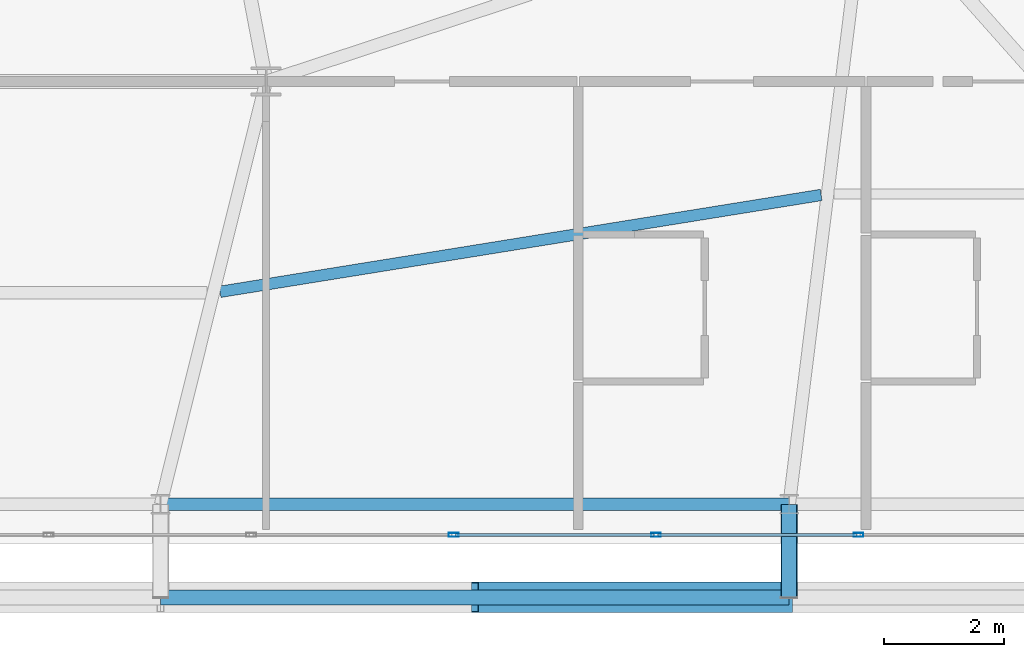
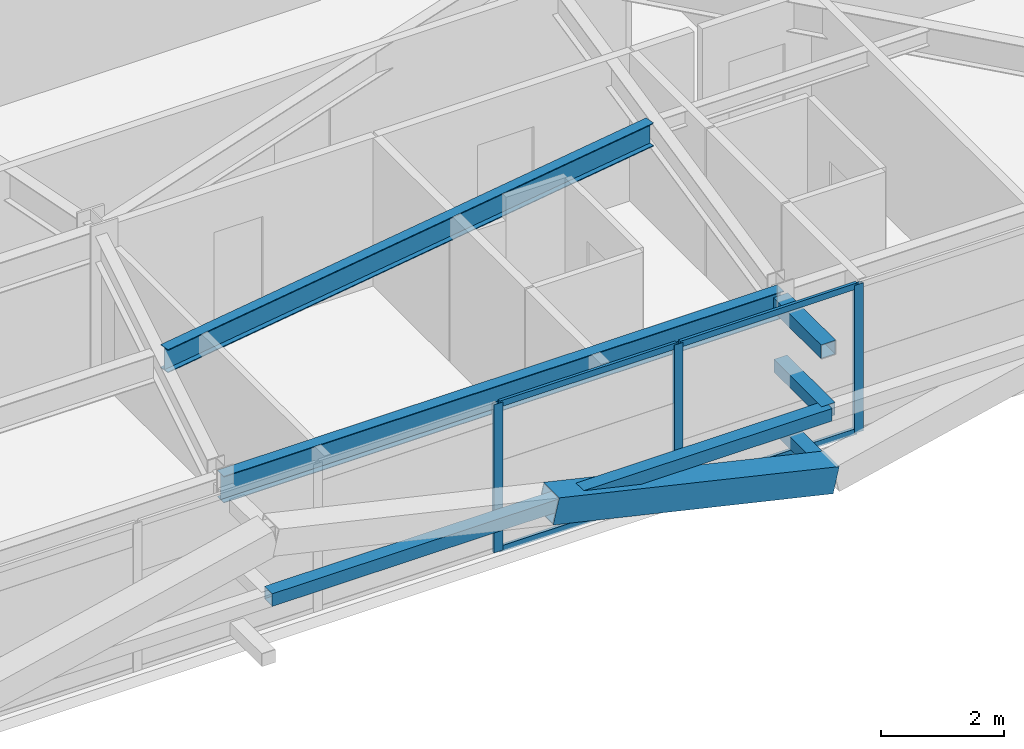
# One storey, part 21 of 59: 12 members, 2 beams, 1 element without a shape of its own.
"""IFC4 building model written with IfcOpenShell, lengths in metres."""

from ifc_helpers import new_model, si_unit, direction, frame, origin, origin_2d, place, context, subcontext, project, spatial, hollow_rectangle, i_section, extrude, source, transform, mapped, material, layer, layer_set, material_profile, profile_set, type_object, element, aggregate, save


model = new_model("IFC4")

# Units and contexts
model_context = context("Model", 3, precision=1e-05, world=origin(), true_north=direction((0.0, 1.0)))
body_context = subcontext(model_context, "Body", "Model", "MODEL_VIEW")
ifc_project = project(units=[si_unit("LENGTHUNIT", "METRE"), si_unit("AREAUNIT", "SQUARE_METRE"), si_unit("VOLUMEUNIT", "CUBIC_METRE"), si_unit("PLANEANGLEUNIT", "RADIAN"), si_unit("MASSUNIT", "GRAM", prefix="KILO")], contexts=[model_context])

# Site, building, storey
site_placement = place(None, origin())
site = spatial("IfcSite", under=ifc_project, at=site_placement, CompositionType="ELEMENT")
building_placement = place(site_placement, origin())
building = spatial("IfcBuilding", under=site, at=building_placement, Name="Taldren Reach Tower", CompositionType="ELEMENT")
storey_placement = place(building_placement, frame((0.0, 0.0, 29.39990234375)))
storey = spatial("IfcBuildingStorey", under=building, at=storey_placement, Name="L08", CompositionType="ELEMENT", Elevation=29.39990234375)

# Beams
ifc_material_1 = material(Name="Steel Gr 350 (350PLUS)", Category="steel")
ifc_material_profile_1 = material_profile(ifc_material_1, i_section(OverallWidth=0.208984375, OverallDepth=0.528076171875, WebThickness=0.009521484375, FlangeThickness=0.01318359375, at=origin_2d()), Name="530UB82.0")
ifc_profile_set_1 = profile_set([ifc_material_profile_1], Name="Steel Gr 350 (350PLUS)")
beam_type_1 = type_object("IfcBeamType", Name="SP-UB530B", PredefinedType="SPANDREL", material=ifc_profile_set_1)
shared_shape_1 = source(origin(), body_context, "Body", "SweptSolid", [
    extrude(i_section(OverallWidth=0.208984375, OverallDepth=0.528076171875, WebThickness=0.009521484375, FlangeThickness=0.01318359375, at=origin_2d()), origin(), (0.0, 0.0, 1.0), 10.47998046875),
])
beam_1_placement = place(storey_placement, frame((40.239990234375, 2.14990234375, 2.666015625), z_axis=(1.0, 0.0, 0.0), x_axis=(0.0, 1.0, 0.0)))
element("IfcBeam", 1, at=beam_1_placement, inside=storey, type_object=beam_type_1, Name="Perimeter spandrel B1 S4-S5 L08", PredefinedType="SPANDREL", context=body_context, shape_type="MappedRepresentation", body=[
    mapped(shared_shape_1, transform((0.0, 0.0, 0.0), scale=1.0)),
])
ifc_material_profile_2 = material_profile(ifc_material_1, i_section(OverallWidth=0.19091796875, OverallDepth=0.4599609375, WebThickness=0.010009765625, FlangeThickness=0.01611328125, at=origin_2d()), Name="460UB82.1")
ifc_profile_set_2 = profile_set([ifc_material_profile_2], Name="Steel Gr 350 (350PLUS)")
beam_type_2 = type_object("IfcBeamType", Name="BM-UB460A", PredefinedType="BEAM", material=ifc_profile_set_2)
shared_shape_2 = source(origin(), body_context, "Body", "SweptSolid", [
    extrude(i_section(OverallWidth=0.19091796875, OverallDepth=0.4599609375, WebThickness=0.010009765625, FlangeThickness=0.01611328125, at=origin_2d()), origin(), (0.0, 0.0, 1.0), 10.1494140625),
])
beam_2_placement = place(storey_placement, frame((41.232177734375, 5.693115234375, 2.7001953125), z_axis=(0.987266967452, 0.159072106224, 0.0), x_axis=(-0.159072106224, 0.987266967452, 0.0)))
element("IfcBeam", 2, at=beam_2_placement, inside=storey, type_object=beam_type_2, Name="Secondary floor beam B1 J4 L08", PredefinedType="BEAM", context=body_context, shape_type="MappedRepresentation", body=[
    mapped(shared_shape_2, transform((0.0, 0.0, 0.0), scale=1.0)),
])

# Members
ifc_material_2 = material(Name="Steel Gr 450 (C450L0)", Category="steel")
ifc_material_profile_3 = material_profile(ifc_material_2, hollow_rectangle(XDim=0.27490234375, YDim=0.27490234375, WallThickness=0.00927734375, at=origin_2d()), Name="275x275x9.3SHS")
ifc_profile_set_3 = profile_set([ifc_material_profile_3], Name="Steel Gr 450 (C450L0)")
member_type_1 = type_object("IfcMemberType", Name="MB-TIE273", PredefinedType="STRUT", material=ifc_profile_set_3)
shared_shape_3 = source(origin(), body_context, "Body", "SweptSolid", [
    extrude(hollow_rectangle(XDim=0.27490234375, YDim=0.27490234375, WallThickness=0.00927734375, at=origin_2d()), origin(), (0.0, 0.0, 1.0), 1.5498046875),
])
member_1_placement = place(storey_placement, frame((50.719970703125, 2.14990234375, 2.650146484375), z_axis=(0.0, -1.0, 0.0), x_axis=(1.0, 0.0, 0.0)))
element("IfcMember", 3, at=member_1_placement, inside=storey, type_object=member_type_1, Name="Exoskeleton diaphragm tie strut B1-S5 L08", PredefinedType="STRUT", context=body_context, shape_type="MappedRepresentation", body=[
    mapped(shared_shape_3, transform((0.0, 0.0, 0.0), scale=1.0)),
])
ifc_material_profile_4 = material_profile(ifc_material_2, hollow_rectangle(XDim=0.510009765625, YDim=0.510009765625, WallThickness=0.02001953125, at=origin_2d()), Name="510x510x20.0SHS")
ifc_profile_set_4 = profile_set([ifc_material_profile_4], Name="Steel Gr 450 (C450L0)")
member_type_2 = type_object("IfcMemberType", Name="MB-EXO508", PredefinedType="BRACE", material=ifc_profile_set_4)
shared_shape_4 = source(origin(), body_context, "Body", "SweptSolid", [
    extrude(hollow_rectangle(XDim=0.510009765625, YDim=0.510009765625, WallThickness=0.02001953125, at=origin_2d()), origin(), (0.0, 0.0, 1.0), 5.37890625),
])
member_2_placement = place(storey_placement, frame((50.719970703125, 0.60009765625, 0.22021484375), z_axis=(-0.974161966843, 0.0, 0.225850531007), x_axis=(0.0, -1.0, 0.0)))
element("IfcMember", 4, at=member_2_placement, inside=storey, type_object=member_type_2, Name="Exoskeleton Diagrid Brace B1-S4 L08", PredefinedType="BRACE", context=body_context, shape_type="MappedRepresentation", body=[
    mapped(shared_shape_4, transform((0.0, 0.0, 0.0), scale=1.0)),
])
ifc_material_3 = material(Name="Steel Gr 350 (C350L0)", Category="steel")
ifc_material_profile_5 = material_profile(ifc_material_3, hollow_rectangle(XDim=0.25, YDim=0.25, WallThickness=0.010009765625, at=origin_2d()), Name="250x250x10.0SHS")
ifc_profile_set_5 = profile_set([ifc_material_profile_5], Name="Steel Gr 350 (C350L0)")
member_type_3 = type_object("IfcMemberType", Name="MB-POST250", PredefinedType="POST", material=ifc_profile_set_5)
shared_shape_5 = source(origin(), body_context, "Body", "SweptSolid", [
    extrude(hollow_rectangle(XDim=0.25, YDim=0.25, WallThickness=0.010009765625, at=origin_2d()), origin(), (0.0, 0.0, 1.0), 10.47998046875),
])
member_3_placement = place(storey_placement, frame((40.239990234375, 0.60009765625, 1.43505859375), z_axis=(1.0, 0.0, 0.0), x_axis=(0.0, 1.0, 0.0)))
element("IfcMember", 5, at=member_3_placement, inside=storey, type_object=member_type_3, Name="Exoskeleton mid-height ring chord B1-S4 L08", PredefinedType="POST", context=body_context, shape_type="MappedRepresentation", body=[
    mapped(shared_shape_5, transform((0.0, 0.0, 0.0), scale=1.0)),
])
shared_shape_6 = source(origin(), body_context, "Body", "SweptSolid", [
    extrude(hollow_rectangle(XDim=0.25, YDim=0.25, WallThickness=0.010009765625, at=origin_2d()), origin(), (0.0, 0.0, 1.0), 1.5498046875),
])
for number, where, z_axis, x_axis, name in (
    (6, (50.719970703125, 2.14990234375, 0.22021484375), (0.0, -1.0, 0.0), (1.0, 0.0, 0.0), "Exoskeleton base diaphragm tie strut B1-S5 L08"),
    (7, (50.719970703125, 2.14990234375, 1.43505859375), (0.0, -1.0, 0.0), (1.0, 0.0, 0.0), "Exoskeleton mid-tier diaphragm tie B1-S5 L08"),
):
    element("IfcMember", number, at=place(storey_placement, frame(where, z_axis=z_axis, x_axis=x_axis)), inside=storey, type_object=member_type_3, Name=name, PredefinedType="POST", context=body_context, shape_type="MappedRepresentation", body=[
        mapped(shared_shape_6, transform((0.0, 0.0, 0.0), scale=1.0)),
    ])

# Curtain wall, members
ifc_material_4 = material(Name="Aluminium and Low-E Glass Unitised System", Category="aluminium")
ifc_layer = layer(ifc_material_4, 0.159912109375)
ifc_layer_set = layer_set([ifc_layer], Name="Aluminium and Low-E Glass Unitised System")
curtain_wall_type = type_object("IfcCurtainWallType", Name="CW-SYS-2", PredefinedType="NOTDEFINED", material=ifc_layer_set)
curtain_wall_placement = place(storey_placement, origin())
curtain_wall = element("IfcCurtainWall", 8, at=curtain_wall_placement, inside=storey, type_object=curtain_wall_type, Name="Unitised curtain wall CW-L08-S", PredefinedType="NOTDEFINED")
ifc_material_5 = material(Name="Anodised Aluminium 6063-T6", Category="aluminium")
ifc_material_profile_6 = material_profile(ifc_material_5, hollow_rectangle(XDim=0.054931640625, YDim=0.1201171875, WallThickness=0.0029296875, at=origin_2d()), Name="ALU-120x55x3RHS")
ifc_profile_set_6 = profile_set([ifc_material_profile_6], Name="Anodised Aluminium 6063-T6")
member_type_4 = type_object("IfcMemberType", Name="CW-TRN-135", PredefinedType="USERDEFINED", material=ifc_profile_set_6)
shared_shape_7 = source(origin(), body_context, "Body", "SweptSolid", [
    extrude(hollow_rectangle(XDim=0.054931640625, YDim=0.1201171875, WallThickness=0.0029296875, at=origin_2d()), origin(), (0.0, 0.0, 1.0), 3.31005859375),
])
member_4_placement = place(storey_placement, frame((45.157470703125, 1.639892578125, 0.027587890625), z_axis=(1.0, 0.0, 0.0), x_axis=(0.0, 1.0, 0.0)))
member_4 = element("IfcMember", 9, at=member_4_placement, type_object=member_type_4, Name="CW-2 transom 12.1", ObjectType="TRANSOM", PredefinedType="USERDEFINED", context=body_context, shape_type="MappedRepresentation", body=[
    mapped(shared_shape_7, transform((0.0, 0.0, 0.0), scale=1.0)),
])
member_5_placement = place(storey_placement, frame((45.157470703125, 1.639892578125, 2.902587890625), z_axis=(1.0, 0.0, 0.0), x_axis=(0.0, 1.0, 0.0)))
member_5 = element("IfcMember", 10, at=member_5_placement, type_object=member_type_4, Name="CW-2 transom 12.2", ObjectType="TRANSOM", PredefinedType="USERDEFINED", context=body_context, shape_type="MappedRepresentation", body=[
    mapped(shared_shape_7, transform((0.0, 0.0, 0.0), scale=1.0)),
])
member_6_placement = place(storey_placement, frame((48.532470703125, 1.639892578125, 0.027587890625), z_axis=(1.0, 0.0, 0.0), x_axis=(0.0, 1.0, 0.0)))
member_6 = element("IfcMember", 11, at=member_6_placement, type_object=member_type_4, Name="CW-2 transom 13.1", ObjectType="TRANSOM", PredefinedType="USERDEFINED", context=body_context, shape_type="MappedRepresentation", body=[
    mapped(shared_shape_7, transform((0.0, 0.0, 0.0), scale=1.0)),
])
member_7_placement = place(storey_placement, frame((48.532470703125, 1.639892578125, 2.902587890625), z_axis=(1.0, 0.0, 0.0), x_axis=(0.0, 1.0, 0.0)))
member_7 = element("IfcMember", 12, at=member_7_placement, type_object=member_type_4, Name="CW-2 transom 13.2", ObjectType="TRANSOM", PredefinedType="USERDEFINED", context=body_context, shape_type="MappedRepresentation", body=[
    mapped(shared_shape_7, transform((0.0, 0.0, 0.0), scale=1.0)),
])
ifc_material_profile_7 = material_profile(ifc_material_5, hollow_rectangle(XDim=0.06494140625, YDim=0.1650390625, WallThickness=0.00390625, at=origin_2d()), Name="ALU-165x65x4RHS")
ifc_profile_set_7 = profile_set([ifc_material_profile_7], Name="Anodised Aluminium 6063-T6")
member_type_5 = type_object("IfcMemberType", Name="CW-MUL-165", PredefinedType="MULLION", material=ifc_profile_set_7)
shared_shape_8 = source(origin(), body_context, "Body", "SweptSolid", [
    extrude(hollow_rectangle(XDim=0.06494140625, YDim=0.1650390625, WallThickness=0.00390625, at=origin_2d()), origin(), (0.0, 0.0, 1.0), 2.93017578125),
])
member_8_placement = place(storey_placement, frame((45.125, 1.639892578125, 0.0), z_axis=(0.0, 0.0, 1.0), x_axis=(0.0, 1.0, 0.0)))
member_8 = element("IfcMember", 13, at=member_8_placement, type_object=member_type_5, Name="CW-2 mullion 12", PredefinedType="MULLION", context=body_context, shape_type="MappedRepresentation", body=[
    mapped(shared_shape_8, transform((0.0, 0.0, 0.0), scale=1.0)),
])
member_9_placement = place(storey_placement, frame((48.5, 1.639892578125, 0.0), z_axis=(0.0, 0.0, 1.0), x_axis=(0.0, 1.0, 0.0)))
member_9 = element("IfcMember", 14, at=member_9_placement, type_object=member_type_5, Name="CW-2 mullion 13", PredefinedType="MULLION", context=body_context, shape_type="MappedRepresentation", body=[
    mapped(shared_shape_8, transform((0.0, 0.0, 0.0), scale=1.0)),
])
member_10_placement = place(storey_placement, frame((51.875, 1.639892578125, 0.0), z_axis=(0.0, 0.0, 1.0), x_axis=(0.0, 1.0, 0.0)))
member_10 = element("IfcMember", 15, at=member_10_placement, type_object=member_type_5, Name="CW-2 mullion 14", PredefinedType="MULLION", context=body_context, shape_type="MappedRepresentation", body=[
    mapped(shared_shape_8, transform((0.0, 0.0, 0.0), scale=1.0)),
])
aggregate(curtain_wall, [member_8, member_9, member_10, member_4, member_5, member_6, member_7])

save(model, "model.ifc")
